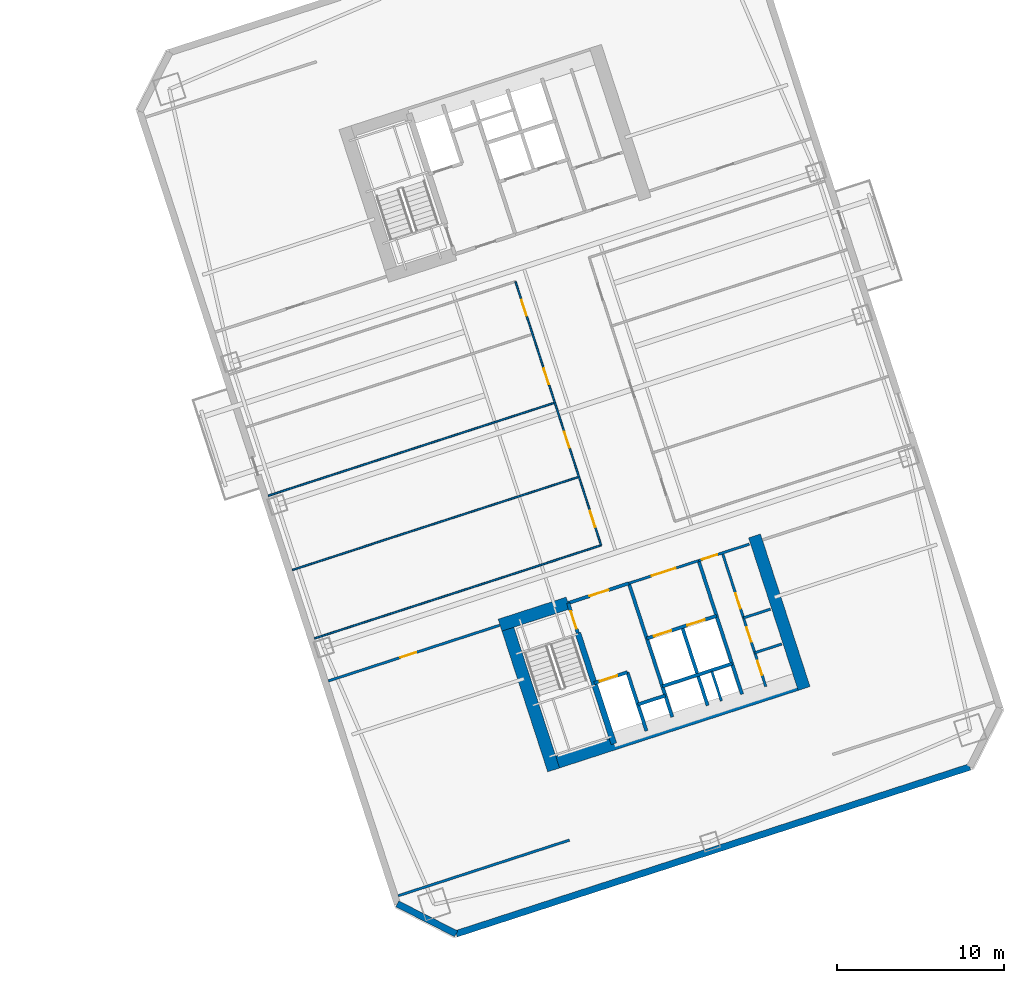
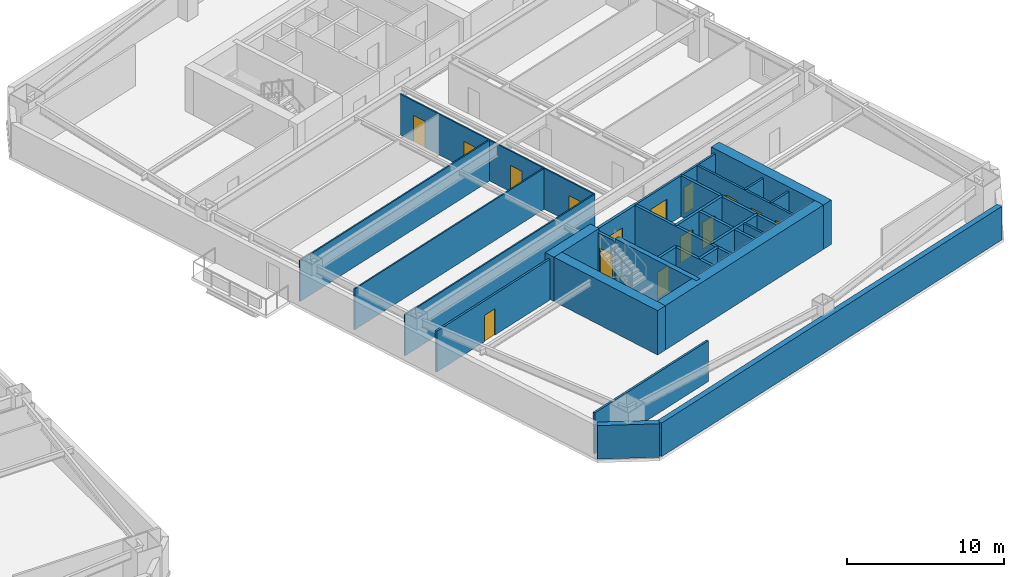
# One storey, part 7 of 15: 29 walls, 15 doors, 15 openings.
"""IFC4 building model written with IfcOpenShell, lengths in metres."""

from ifc_helpers import new_model, si_unit, direction, frame, frame_2d, origin, place, context, subcontext, project, spatial, rectangle, extrude, material, layer, layer_set, type_object, element, fill, save


model = new_model("IFC4")

# Units and contexts
model_context = context("Model", 3, precision=1e-05, world=origin(), true_north=direction((0.0, 1.0)))
body_context = subcontext(model_context, "Body", "Model", "MODEL_VIEW")
ifc_project = project(units=[si_unit("LENGTHUNIT", "METRE"), si_unit("AREAUNIT", "SQUARE_METRE"), si_unit("VOLUMEUNIT", "CUBIC_METRE"), si_unit("PLANEANGLEUNIT", "RADIAN"), si_unit("MASSUNIT", "GRAM", prefix="KILO")], contexts=[model_context])

# Site, building, storey
site_placement = place(None, origin())
site = spatial("IfcSite", under=ifc_project, at=site_placement, CompositionType="ELEMENT")
building_placement = place(site_placement, origin())
building = spatial("IfcBuilding", under=site, at=building_placement, Name="Qiaolan Cultural Towers", CompositionType="ELEMENT")
storey_placement = place(building_placement, frame((0.0, 0.0, 50.60009765625)))
storey = spatial("IfcBuildingStorey", under=building, at=storey_placement, Name="L11", CompositionType="ELEMENT", Elevation=50.60009765625)

# Walls
ifc_material_1 = material(Name="Concrete C50", Category="concrete")
ifc_layer_1 = layer(ifc_material_1, 0.35009765625)
ifc_layer_set_1 = layer_set([ifc_layer_1], Name="Concrete C50")
wall_type_1 = type_object("IfcWallType", Name="WL-CORE-350", PredefinedType="SHEAR", material=ifc_layer_set_1)
wall_1_placement = place(storey_placement, frame((90.486328125, 20.59423828125, 0.0), z_axis=(0.0, 0.0, 1.0), x_axis=(0.309020428229, -0.951055400562, 0.0)))
element("IfcWall", 1, at=wall_1_placement, inside=storey, type_object=wall_type_1, Name="L11 T2-CS Stair Core Dividing Web", PredefinedType="SHEAR", context=body_context, shape_type="SweptSolid", body=[
    extrude(rectangle(XDim=6.97998046875, YDim=0.35009765625, at=frame_2d((3.489990234375, 0.0))), origin(), (0.0, 0.0, 1.0), 3.449951171875),
])
ifc_material_2 = material(Name="Concrete C60", Category="concrete")
ifc_layer_2 = layer(ifc_material_2, 0.75)
ifc_layer_set_2 = layer_set([ifc_layer_2], Name="Concrete C60")
wall_type_2 = type_object("IfcWallType", Name="WL-CORE-750", PredefinedType="SHEAR", material=ifc_layer_set_2)
wall_2_placement = place(storey_placement, frame((88.55859375, 12.628662109375, 0.0), z_axis=(0.0, 0.0, 1.0), x_axis=(0.951056072937, 0.309018358888, 0.0)))
element("IfcWall", 2, at=wall_2_placement, inside=storey, type_object=wall_type_2, Name="L11 T2-CS Outer Core Shear Wall", PredefinedType="SHEAR", context=body_context, shape_type="SweptSolid", body=[
    extrude(rectangle(XDim=16.550048828125, YDim=0.75, at=frame_2d((8.27490234375, 0.0))), origin(), (0.0, 0.0, 1.0), 3.449951171875),
])
wall_3_placement = place(storey_placement, frame((86.05517578125, 21.54638671875, 0.0), z_axis=(0.0, 0.0, 1.0), x_axis=(0.309023585745, -0.951054374604, 0.0)))
element("IfcWall", 3, at=wall_3_placement, inside=storey, type_object=wall_type_2, Name="L11 T2-CS West Core Shear Wall", PredefinedType="SHEAR", context=body_context, shape_type="SweptSolid", body=[
    extrude(rectangle(XDim=9.6298828125, YDim=0.75, at=frame_2d((4.81494140625, 0.0))), origin(), (0.0, 0.0, 1.0), 3.449951171875),
])
wall_4_placement = place(storey_placement, frame((101.08203125, 26.428955078125, 0.0), z_axis=(0.0, 0.0, 1.0), x_axis=(0.309016134813, -0.951056795583, 0.0)))
element("IfcWall", 4, at=wall_4_placement, inside=storey, type_object=wall_type_2, Name="L11 T2-CS East Core Shear Wall", PredefinedType="SHEAR", context=body_context, shape_type="SweptSolid", body=[
    extrude(rectangle(XDim=9.630126953125, YDim=0.75, at=frame_2d((4.81494140625, 0.0))), origin(), (0.0, 0.0, 1.0), 3.449951171875),
])
wall_5_placement = place(storey_placement, frame((85.814453125, 21.073974609375, 0.0), z_axis=(0.0, 0.0, 1.0), x_axis=(0.95106580992, 0.308988390074, 0.0)))
element("IfcWall", 5, at=wall_5_placement, inside=storey, type_object=wall_type_2, Name="L11 T2-CS Stair Front Shear Wall", PredefinedType="SHEAR", context=body_context, shape_type="SweptSolid", body=[
    extrude(rectangle(XDim=4.295166015625, YDim=0.75, at=frame_2d((2.1474609375, 0.0))), origin(), (0.0, 0.0, 1.0), 3.449951171875),
])
ifc_material_3 = material(Name="Precast Concrete C50 Honed Stone Pier", Category="masonry")
ifc_layer_3 = layer(ifc_material_3, 0.39990234375)
ifc_layer_set_3 = layer_set([ifc_layer_3], Name="Precast Concrete C50 Honed Stone Pier")
wall_type_3 = type_object("IfcWallType", Name="WL-EXT-PIER-400", PredefinedType="SOLIDWALL", material=ifc_layer_set_3)
wall_6_placement = place(storey_placement, frame((113.997802734375, 12.566650390625, 0.0), z_axis=(0.0, 0.0, 1.0), x_axis=(-0.951055939317, -0.309018770125, 0.0)))
element("IfcWall", 6, at=wall_6_placement, inside=storey, type_object=wall_type_3, Name="L11 East Tower Precast Pier Facade Wall F7", PredefinedType="SOLIDWALL", context=body_context, shape_type="SweptSolid", body=[
    extrude(rectangle(XDim=32.39990234375, YDim=0.39990234375, at=frame_2d((16.199951171875, 0.0))), origin(), (0.0, 0.0, 1.0), 2.60986328125),
])
wall_7_placement = place(storey_placement, frame((83.18359375, 2.554443359375, 0.0), z_axis=(0.0, 0.0, 1.0), x_axis=(-0.890998089617, 0.454007053137, 0.0)))
element("IfcWall", 7, at=wall_7_placement, inside=storey, type_object=wall_type_3, Name="L11 East Tower Precast Pier Facade Wall F8", PredefinedType="SOLIDWALL", context=body_context, shape_type="SweptSolid", body=[
    extrude(rectangle(XDim=3.9599609375, YDim=0.39990234375, at=frame_2d((1.97998046875, 0.0))), origin(), (0.0, 0.0, 1.0), 2.60986328125),
])

# Wall, opening, door
ifc_material_4 = material(Name="Concrete C35 Fire Wall", Category="concrete")
ifc_layer_4 = layer(ifc_material_4, 0.199951171875)
ifc_layer_set_4 = layer_set([ifc_layer_4], Name="Concrete C35 Fire Wall")
wall_type_4 = type_object("IfcWallType", Name="WL-FIRE-200", PredefinedType="PARTITIONING", material=ifc_layer_set_4)
wall_8_placement = place(storey_placement, frame((89.8994140625, 22.401123046875, 0.0), z_axis=(0.0, 0.0, 1.0), x_axis=(0.308932062672, -0.951084108086, 0.0)))
wall_8 = element("IfcWall", 8, at=wall_8_placement, inside=storey, type_object=wall_type_4, Name="L11 T2-CS Smokeproof Stair Entry Wall", PredefinedType="PARTITIONING", context=body_context, shape_type="SweptSolid", body=[
    extrude(rectangle(XDim=1.89990234375, YDim=0.199951171875, at=frame_2d((0.949951171875, 0.0))), origin(), (0.0, 0.0, 1.0), 3.1748046875),
])
opening_1_placement = place(wall_8_placement, frame((0.52001953125, 0.0, 0.0)))
opening_1 = element("IfcOpeningElement", 9, at=opening_1_placement, cuts=wall_8, Name="Opening FD-04", PredefinedType="OPENING", context=body_context, shape_type="SweptSolid", body=[
    extrude(rectangle(XDim=1.10009765625, YDim=2.050048828125, at=frame_2d((0.550048828125, 1.02490234375))), frame((0.0, 0.10986328125, 0.0), z_axis=(0.0, -1.0, 0.0), x_axis=(1.0, 0.0, 0.0)), (0.0, 0.0, 1.0), 0.219970703125),
])
ifc_material_5 = material(Name="Galvanized Steel Command Fire Door", Category="steel")
door_type_1 = type_object("IfcDoorType", Name="DR-FD90-1100", OperationType="NOTDEFINED", PredefinedType="DOOR", material=ifc_material_5)
door_1_placement = place(opening_1_placement, origin())
door_1 = element("IfcDoor", 10, at=door_1_placement, inside=storey, type_object=door_type_1, Name="L11 ST-E1 Smokeproof Stair Fire Door", OperationType="SINGLE_SWING_LEFT", OverallHeight=2.050048828125, OverallWidth=1.10009765625, PredefinedType="DOOR", context=body_context, shape_type="SweptSolid", body=[
    extrude(rectangle(XDim=1.10009765625, YDim=2.050048828125, at=frame_2d((0.550048828125, 1.02490234375))), frame((0.0, 0.02490234375, 0.0), z_axis=(0.0, -1.0, 0.0), x_axis=(1.0, 0.0, 0.0)), (0.0, 0.0, 1.0), 0.050048828125),
])
fill(opening_1, door_1)

# Wall
wall_9_placement = place(storey_placement, frame((93.541748046875, 23.584716796875, 0.0), z_axis=(0.0, 0.0, 1.0), x_axis=(0.309042196757, -0.951048327176, 0.0)))
element("IfcWall", 11, at=wall_9_placement, inside=storey, type_object=wall_type_4, Name="L11 T2-CS Firefighting Zone Wall", PredefinedType="PARTITIONING", context=body_context, shape_type="SweptSolid", body=[
    extrude(rectangle(XDim=8.429931640625, YDim=0.199951171875, at=frame_2d((4.21484375, 0.0))), origin(), (0.0, 0.0, 1.0), 3.1748046875),
])

# Wall, opening, door
wall_10_placement = place(storey_placement, frame((89.8994140625, 22.401123046875, 0.0), z_axis=(0.0, 0.0, 1.0), x_axis=(0.951046716504, 0.309047153403, 0.0)))
wall_10 = element("IfcWall", 12, at=wall_10_placement, inside=storey, type_object=wall_type_4, Name="L11 T2-CS Firefighting Lobby Front Wall", PredefinedType="PARTITIONING", context=body_context, shape_type="SweptSolid", body=[
    extrude(rectangle(XDim=3.829833984375, YDim=0.199951171875, at=frame_2d((1.9150390625, 0.0))), origin(), (0.0, 0.0, 1.0), 3.1748046875),
])
opening_2_placement = place(wall_10_placement, frame((1.35009765625, 0.0, 0.0)))
opening_2 = element("IfcOpeningElement", 13, at=opening_2_placement, cuts=wall_10, Name="Opening FD-03", PredefinedType="OPENING", context=body_context, shape_type="SweptSolid", body=[
    extrude(rectangle(XDim=1.199951171875, YDim=2.050048828125, at=frame_2d((0.60009765625, 1.02490234375))), frame((0.0, 0.10986328125, 0.0), z_axis=(0.0, -1.0, 0.0), x_axis=(1.0, 0.0, 0.0)), (0.0, 0.0, 1.0), 0.219970703125),
])
ifc_material_6 = material(Name="Galvanized Steel Smokeproof Lobby Fire Door", Category="steel")
door_type_2 = type_object("IfcDoorType", Name="DR-FD90-1200", OperationType="NOTDEFINED", PredefinedType="DOOR", material=ifc_material_6)
door_2_placement = place(opening_2_placement, origin())
door_2 = element("IfcDoor", 14, at=door_2_placement, inside=storey, type_object=door_type_2, Name="L11 FFL-E1 Firefighting Lobby Fire Door", OperationType="SINGLE_SWING_LEFT", OverallHeight=2.050048828125, OverallWidth=1.199951171875, PredefinedType="DOOR", context=body_context, shape_type="SweptSolid", body=[
    extrude(rectangle(XDim=1.199951171875, YDim=2.050048828125, at=frame_2d((0.60009765625, 1.02490234375))), frame((0.0, 0.02490234375, 0.0), z_axis=(0.0, -1.0, 0.0), x_axis=(1.0, 0.0, 0.0)), (0.0, 0.0, 1.0), 0.050048828125),
])
fill(opening_2, door_2)

wall_11_placement = place(storey_placement, frame((91.459716796875, 17.598388671875, 0.0), z_axis=(0.0, 0.0, 1.0), x_axis=(0.951062257173, 0.308999325213, 0.0)))
wall_11 = element("IfcWall", 15, at=wall_11_placement, inside=storey, type_object=wall_type_4, Name="L11 T2-CS Firefighting Shaft Front Wall", PredefinedType="PARTITIONING", context=body_context, shape_type="SweptSolid", body=[
    extrude(rectangle(XDim=2.10009765625, YDim=0.199951171875, at=frame_2d((1.050048828125, 0.0))), origin(), (0.0, 0.0, 1.0), 3.1748046875),
])
opening_3_placement = place(wall_11_placement, frame((0.35009765625, 0.0, 0.0)))
opening_3 = element("IfcOpeningElement", 16, at=opening_3_placement, cuts=wall_11, Name="Opening LD-01", PredefinedType="OPENING", context=body_context, shape_type="SweptSolid", body=[
    extrude(rectangle(XDim=1.10009765625, YDim=2.050048828125, at=frame_2d((0.550048828125, 1.02490234375))), frame((0.0, 0.10986328125, 0.0), z_axis=(0.0, -1.0, 0.0), x_axis=(1.0, 0.0, 0.0)), (0.0, 0.0, 1.0), 0.219970703125),
])
ifc_material_7 = material(Name="Brushed Stainless Steel S30408 Centre-Parting Lift Landing Door", Category="steel")
door_type_3 = type_object("IfcDoorType", Name="DR-LIFT-1100", OperationType="NOTDEFINED", PredefinedType="DOOR", material=ifc_material_7)
door_3_placement = place(opening_3_placement, origin())
door_3 = element("IfcDoor", 17, at=door_3_placement, inside=storey, type_object=door_type_3, Name="L11 FFL-E1 Firefighting Lift Landing Door", OperationType="DOUBLE_DOOR_SLIDING", OverallHeight=2.050048828125, OverallWidth=1.10009765625, PredefinedType="DOOR", context=body_context, shape_type="SweptSolid", body=[
    extrude(rectangle(XDim=1.10009765625, YDim=2.050048828125, at=frame_2d((0.550048828125, 1.02490234375))), frame((0.0, 0.02490234375, 0.0), z_axis=(0.0, -1.0, 0.0), x_axis=(1.0, 0.0, 0.0)), (0.0, 0.0, 1.0), 0.050048828125),
])
fill(opening_3, door_3)

# Walls
wall_12_placement = place(storey_placement, frame((93.45703125, 18.247314453125, 0.0), z_axis=(0.0, 0.0, 1.0), x_axis=(0.3089935693, -0.951064127245, 0.0)))
element("IfcWall", 18, at=wall_12_placement, inside=storey, type_object=wall_type_4, Name="L11 T2-CS Firefighting Hoistway East Wall", PredefinedType="PARTITIONING", context=body_context, shape_type="SweptSolid", body=[
    extrude(rectangle(XDim=3.7001953125, YDim=0.199951171875, at=frame_2d((1.85009765625, 0.0))), origin(), (0.0, 0.0, 1.0), 3.1748046875),
])
wall_13_placement = place(storey_placement, frame((94.08447265625, 16.316650390625, 0.0), z_axis=(0.0, 0.0, 1.0), x_axis=(0.951041328149, 0.309063734775, 0.0)))
element("IfcWall", 19, at=wall_13_placement, inside=storey, type_object=wall_type_4, Name="L11 T2-CS Pressurization Shaft Front Wall", PredefinedType="PARTITIONING", context=body_context, shape_type="SweptSolid", body=[
    extrude(rectangle(XDim=1.72998046875, YDim=0.199951171875, at=frame_2d((0.864990234375, 0.0))), origin(), (0.0, 0.0, 1.0), 3.1748046875),
])
wall_14_placement = place(storey_placement, frame((97.7265625, 24.9443359375, 0.0), z_axis=(0.0, 0.0, 1.0), x_axis=(0.309016001439, -0.951056838919, 0.0)))
element("IfcWall", 20, at=wall_14_placement, inside=storey, type_object=wall_type_4, Name="L11 T2-CS Lift Core East Wall", PredefinedType="PARTITIONING", context=body_context, shape_type="SweptSolid", body=[
    extrude(rectangle(XDim=8.429931640625, YDim=0.199951171875, at=frame_2d((4.21484375, 0.0))), origin(), (0.0, 0.0, 1.0), 3.1748046875),
])

# Wall, openings, doors
wall_15_placement = place(storey_placement, frame((94.6171875, 20.275146484375, 0.0), z_axis=(0.0, 0.0, 1.0), x_axis=(0.951058531764, 0.30901079133, 0.0)))
wall_15 = element("IfcWall", 21, at=wall_15_placement, inside=storey, type_object=wall_type_4, Name="L11 T2-CS Passenger Lift Shaft Front Wall", PredefinedType="PARTITIONING", context=body_context, shape_type="SweptSolid", body=[
    extrude(rectangle(XDim=4.39990234375, YDim=0.199951171875, at=frame_2d((2.199951171875, 0.0))), origin(), (0.0, 0.0, 1.0), 3.1748046875),
])
opening_4_placement = place(wall_15_placement, frame((0.449951171875, 0.0, 0.0)))
opening_4 = element("IfcOpeningElement", 22, at=opening_4_placement, cuts=wall_15, Name="Opening LD-01", PredefinedType="OPENING", context=body_context, shape_type="SweptSolid", body=[
    extrude(rectangle(XDim=1.10009765625, YDim=2.050048828125, at=frame_2d((0.550048828125, 1.02490234375))), frame((0.0, 0.10986328125, 0.0), z_axis=(0.0, -1.0, 0.0), x_axis=(1.0, 0.0, 0.0)), (0.0, 0.0, 1.0), 0.219970703125),
])
opening_5_placement = place(wall_15_placement, frame((2.550048828125, 0.0, 0.0)))
opening_5 = element("IfcOpeningElement", 23, at=opening_5_placement, cuts=wall_15, Name="Opening LD-01", PredefinedType="OPENING", context=body_context, shape_type="SweptSolid", body=[
    extrude(rectangle(XDim=1.10009765625, YDim=2.050048828125, at=frame_2d((0.550048828125, 1.02490234375))), frame((0.0, 0.10986328125, 0.0), z_axis=(0.0, -1.0, 0.0), x_axis=(1.0, 0.0, 0.0)), (0.0, 0.0, 1.0), 0.219970703125),
])
door_4_placement = place(opening_4_placement, origin())
door_4 = element("IfcDoor", 24, at=door_4_placement, inside=storey, type_object=door_type_3, Name="L11 Passenger Lift 1 Landing Door", OperationType="DOUBLE_DOOR_SLIDING", OverallHeight=2.050048828125, OverallWidth=1.10009765625, PredefinedType="DOOR", context=body_context, shape_type="SweptSolid", body=[
    extrude(rectangle(XDim=1.10009765625, YDim=2.050048828125, at=frame_2d((0.550048828125, 1.02490234375))), frame((0.0, 0.02490234375, 0.0), z_axis=(0.0, -1.0, 0.0), x_axis=(1.0, 0.0, 0.0)), (0.0, 0.0, 1.0), 0.050048828125),
])
fill(opening_4, door_4)
door_5_placement = place(opening_5_placement, origin())
door_5 = element("IfcDoor", 25, at=door_5_placement, inside=storey, type_object=door_type_3, Name="L11 Passenger Lift 2 Landing Door", OperationType="DOUBLE_DOOR_SLIDING", OverallHeight=2.050048828125, OverallWidth=1.10009765625, PredefinedType="DOOR", context=body_context, shape_type="SweptSolid", body=[
    extrude(rectangle(XDim=1.10009765625, YDim=2.050048828125, at=frame_2d((0.550048828125, 1.02490234375))), frame((0.0, 0.02490234375, 0.0), z_axis=(0.0, -1.0, 0.0), x_axis=(1.0, 0.0, 0.0)), (0.0, 0.0, 1.0), 0.050048828125),
])
fill(opening_5, door_5)

# Walls
wall_16_placement = place(storey_placement, frame((96.738037109375, 20.964111328125, 0.0), z_axis=(0.0, 0.0, 1.0), x_axis=(0.309042578481, -0.951048203135, 0.0)))
element("IfcWall", 26, at=wall_16_placement, inside=storey, type_object=wall_type_4, Name="L11 T2-CS Lift Shaft Divider Wall", PredefinedType="PARTITIONING", context=body_context, shape_type="SweptSolid", body=[
    extrude(rectangle(XDim=4.9501953125, YDim=0.199951171875, at=frame_2d((2.47509765625, 0.0))), origin(), (0.0, 0.0, 1.0), 3.1748046875),
])
wall_17_placement = place(storey_placement, frame((95.550537109375, 17.40283203125, 0.0), z_axis=(0.0, 0.0, 1.0), x_axis=(0.951058531764, 0.30901079133, 0.0)))
element("IfcWall", 27, at=wall_17_placement, inside=storey, type_object=wall_type_4, Name="L11 T2-CS Passenger Lift Shaft Back Wall", PredefinedType="PARTITIONING", context=body_context, shape_type="SweptSolid", body=[
    extrude(rectangle(XDim=4.39990234375, YDim=0.199951171875, at=frame_2d((2.199951171875, 0.0))), origin(), (0.0, 0.0, 1.0), 3.1748046875),
])
ifc_material_8 = material(Name="Acoustic Double-Glazed Partition Frame", Category="glass")
ifc_layer_5 = layer(ifc_material_8, 0.10009765625)
ifc_layer_set_5 = layer_set([ifc_layer_5], Name="Acoustic Double-Glazed Partition Frame")
wall_type_5 = type_object("IfcWallType", Name="WL-GLAZED-100", PredefinedType="MOVABLE", material=ifc_layer_set_5)
wall_18_placement = place(storey_placement, frame((74.691162109375, 20.277587890625, 0.0), z_axis=(0.0, 0.0, 1.0), x_axis=(0.951053521786, 0.309026210375, 0.0)))
element("IfcWall", 28, at=wall_18_placement, inside=storey, type_object=wall_type_5, Name="L11 T2 South Corridor Left Wall", PredefinedType="MOVABLE", context=body_context, shape_type="SweptSolid", body=[
    extrude(rectangle(XDim=18.0751953125, YDim=0.10009765625, at=frame_2d((9.03759765625, 0.0))), origin(), (0.0, 0.0, 1.0), 3.1748046875),
])

# Wall, openings, doors
wall_19_placement = place(storey_placement, frame((91.881591796875, 25.86328125, 0.0), z_axis=(0.0, 0.0, 1.0), x_axis=(-0.309022042254, 0.951054876125, 0.0)))
wall_19 = element("IfcWall", 29, at=wall_19_placement, inside=storey, type_object=wall_type_5, Name="L11 T2 West Spine Wall", PredefinedType="MOVABLE", context=body_context, shape_type="SweptSolid", body=[
    extrude(rectangle(XDim=16.639892578125, YDim=0.10009765625, at=frame_2d((8.31982421875, 0.0))), origin(), (0.0, 0.0, 1.0), 3.1748046875),
])
opening_6_placement = place(wall_19_placement, frame((1.159912109375, 0.0, 0.0)))
opening_6 = element("IfcOpeningElement", 30, at=opening_6_placement, cuts=wall_19, Name="Opening ID-04", PredefinedType="OPENING", context=body_context, shape_type="SweptSolid", body=[
    extrude(rectangle(XDim=1.0, YDim=2.050048828125, at=frame_2d((0.5, 1.02490234375))), frame((0.0, 0.06005859375, 0.0), z_axis=(0.0, -1.0, 0.0), x_axis=(1.0, 0.0, 0.0)), (0.0, 0.0, 1.0), 0.1201171875),
])
opening_7_placement = place(wall_19_placement, frame((6.159912109375, 0.0, 0.0)))
opening_7 = element("IfcOpeningElement", 31, at=opening_7_placement, cuts=wall_19, Name="Opening ID-04", PredefinedType="OPENING", context=body_context, shape_type="SweptSolid", body=[
    extrude(rectangle(XDim=1.0, YDim=2.050048828125, at=frame_2d((0.5, 1.02490234375))), frame((0.0, 0.06005859375, 0.0), z_axis=(0.0, -1.0, 0.0), x_axis=(1.0, 0.0, 0.0)), (0.0, 0.0, 1.0), 0.1201171875),
])
opening_8_placement = place(wall_19_placement, frame((10.159912109375, 0.0, 0.0)))
opening_8 = element("IfcOpeningElement", 32, at=opening_8_placement, cuts=wall_19, Name="Opening ID-04", PredefinedType="OPENING", context=body_context, shape_type="SweptSolid", body=[
    extrude(rectangle(XDim=1.0, YDim=2.050048828125, at=frame_2d((0.5, 1.02490234375))), frame((0.0, 0.06005859375, 0.0), z_axis=(0.0, -1.0, 0.0), x_axis=(1.0, 0.0, 0.0)), (0.0, 0.0, 1.0), 0.1201171875),
])
opening_9_placement = place(wall_19_placement, frame((14.47998046875, 0.0, 0.0)))
opening_9 = element("IfcOpeningElement", 33, at=opening_9_placement, cuts=wall_19, Name="Opening ID-04", PredefinedType="OPENING", context=body_context, shape_type="SweptSolid", body=[
    extrude(rectangle(XDim=1.0, YDim=2.050048828125, at=frame_2d((0.5, 1.02490234375))), frame((0.0, 0.06005859375, 0.0), z_axis=(0.0, -1.0, 0.0), x_axis=(1.0, 0.0, 0.0)), (0.0, 0.0, 1.0), 0.1201171875),
])
ifc_material_9 = material(Name="Oak Veneer Acoustic Office Door", Category="timber")
door_type_4 = type_object("IfcDoorType", Name="DR-INT-1000", OperationType="NOTDEFINED", PredefinedType="DOOR", material=ifc_material_9)
door_6_placement = place(opening_6_placement, origin())
door_6 = element("IfcDoor", 34, at=door_6_placement, inside=storey, type_object=door_type_4, Name="L11 T2 Project Briefing Room Door", OperationType="SINGLE_SWING_LEFT", OverallHeight=2.050048828125, OverallWidth=1.0, PredefinedType="DOOR", context=body_context, shape_type="SweptSolid", body=[
    extrude(rectangle(XDim=1.0, YDim=2.050048828125, at=frame_2d((0.5, 1.02490234375))), frame((0.0, 0.02490234375, 0.0), z_axis=(0.0, -1.0, 0.0), x_axis=(1.0, 0.0, 0.0)), (0.0, 0.0, 1.0), 0.050048828125),
])
fill(opening_6, door_6)
door_7_placement = place(opening_7_placement, origin())
door_7 = element("IfcDoor", 35, at=door_7_placement, inside=storey, type_object=door_type_4, Name="L11 T2 Curatorial Research Office Door", OperationType="SINGLE_SWING_LEFT", OverallHeight=2.050048828125, OverallWidth=1.0, PredefinedType="DOOR", context=body_context, shape_type="SweptSolid", body=[
    extrude(rectangle(XDim=1.0, YDim=2.050048828125, at=frame_2d((0.5, 1.02490234375))), frame((0.0, 0.02490234375, 0.0), z_axis=(0.0, -1.0, 0.0), x_axis=(1.0, 0.0, 0.0)), (0.0, 0.0, 1.0), 0.050048828125),
])
fill(opening_7, door_7)
door_8_placement = place(opening_8_placement, origin())
door_8 = element("IfcDoor", 36, at=door_8_placement, inside=storey, type_object=door_type_4, Name="L11 T2 Wellness Consultation Room Door", OperationType="SINGLE_SWING_RIGHT", OverallHeight=2.050048828125, OverallWidth=1.0, PredefinedType="DOOR", context=body_context, shape_type="SweptSolid", body=[
    extrude(rectangle(XDim=1.0, YDim=2.050048828125, at=frame_2d((0.5, 1.02490234375))), frame((0.0, 0.02490234375, 0.0), z_axis=(0.0, -1.0, 0.0), x_axis=(1.0, 0.0, 0.0)), (0.0, 0.0, 1.0), 0.050048828125),
])
fill(opening_8, door_8)
door_9_placement = place(opening_9_placement, origin())
door_9 = element("IfcDoor", 37, at=door_9_placement, inside=storey, type_object=door_type_4, Name="L11 T2 Staff Lounge Door", OperationType="SINGLE_SWING_RIGHT", OverallHeight=2.050048828125, OverallWidth=1.0, PredefinedType="DOOR", context=body_context, shape_type="SweptSolid", body=[
    extrude(rectangle(XDim=1.0, YDim=2.050048828125, at=frame_2d((0.5, 1.02490234375))), frame((0.0, 0.02490234375, 0.0), z_axis=(0.0, -1.0, 0.0), x_axis=(1.0, 0.0, 0.0)), (0.0, 0.0, 1.0), 0.050048828125),
])
fill(opening_9, door_9)

# Walls
for number, where, z_axis, x_axis, name in (
    (38, (73.356201171875, 24.38623046875, 0.0), (0.0, 0.0, 1.0), (0.951057491432, 0.309013993197, 0.0), "L11 T2 West Partition 2"),
    (39, (71.909912109375, 28.837158203125, 0.0), (0.0, 0.0, 1.0), (0.951057491432, 0.309013993197, 0.0), "L11 T2 West Partition 3"),
):
    element("IfcWall", number, at=place(storey_placement, frame(where, z_axis=z_axis, x_axis=x_axis)), inside=storey, type_object=wall_type_5, Name=name, PredefinedType="MOVABLE", context=body_context, shape_type="SweptSolid", body=[
        extrude(rectangle(XDim=18.074951171875, YDim=0.10009765625, at=frame_2d((9.03759765625, 0.0))), origin(), (0.0, 0.0, 1.0), 3.1748046875),
    ])

# Wall, opening, door
ifc_material_10 = material(Name="Autoclaved Aerated Concrete Block B06", Category="concrete")
ifc_layer_6 = layer(ifc_material_10, 0.14990234375)
ifc_layer_set_6 = layer_set([ifc_layer_6], Name="Autoclaved Aerated Concrete Block B06")
wall_type_6 = type_object("IfcWallType", Name="WL-PART-150", PredefinedType="PARTITIONING", material=ifc_layer_set_6)
wall_20_placement = place(storey_placement, frame((93.541748046875, 23.584716796875, 0.0), z_axis=(0.0, 0.0, 1.0), x_axis=(0.951063829732, 0.308994485023, 0.0)))
wall_20 = element("IfcWall", 40, at=wall_20_placement, inside=storey, type_object=wall_type_6, Name="L11 T2-CS Passenger Lift Lobby Front Wall", PredefinedType="PARTITIONING", context=body_context, shape_type="SweptSolid", body=[
    extrude(rectangle(XDim=4.400146484375, YDim=0.14990234375, at=frame_2d((2.2001953125, 0.0))), origin(), (0.0, 0.0, 1.0), 3.1748046875),
])
opening_10_placement = place(wall_20_placement, frame((1.449951171875, 0.0, 0.0)))
opening_10 = element("IfcOpeningElement", 41, at=opening_10_placement, cuts=wall_20, Name="Opening FD-05", PredefinedType="OPENING", context=body_context, shape_type="SweptSolid", body=[
    extrude(rectangle(XDim=1.5, YDim=2.050048828125, at=frame_2d((0.75, 1.02490234375))), frame((0.0, 0.0849609375, 0.0), z_axis=(0.0, -1.0, 0.0), x_axis=(1.0, 0.0, 0.0)), (0.0, 0.0, 1.0), 0.169921875),
])
ifc_material_11 = material(Name="Painted Steel Lift Lobby Fire Door", Category="steel")
door_type_5 = type_object("IfcDoorType", Name="DR-FD60-1500", OperationType="NOTDEFINED", PredefinedType="DOOR", material=ifc_material_11)
door_10_placement = place(opening_10_placement, origin())
door_10 = element("IfcDoor", 42, at=door_10_placement, inside=storey, type_object=door_type_5, Name="L11 Passenger Lift Lobby Entrance", OperationType="SINGLE_SWING_LEFT", OverallHeight=2.050048828125, OverallWidth=1.5, PredefinedType="DOOR", context=body_context, shape_type="SweptSolid", body=[
    extrude(rectangle(XDim=1.5, YDim=2.050048828125, at=frame_2d((0.75, 1.02490234375))), frame((0.0, 0.02490234375, 0.0), z_axis=(0.0, -1.0, 0.0), x_axis=(1.0, 0.0, 0.0)), (0.0, 0.0, 1.0), 0.050048828125),
])
fill(opening_10, door_10)

# Wall
wall_21_placement = place(storey_placement, frame((98.51416015625, 18.313232421875, 0.0), z_axis=(0.0, 0.0, 1.0), x_axis=(0.309089008895, -0.951033114345, 0.0)))
element("IfcWall", 43, at=wall_21_placement, inside=storey, type_object=wall_type_6, Name="L11 T2-CS Core Rear Asymmetric Wall", PredefinedType="PARTITIONING", context=body_context, shape_type="SweptSolid", body=[
    extrude(rectangle(XDim=1.8798828125, YDim=0.14990234375, at=frame_2d((0.93994140625, 0.0))), origin(), (0.0, 0.0, 1.0), 3.1748046875),
])

# Wall, opening, door
wall_22_placement = place(storey_placement, frame((97.7265625, 24.9443359375, 0.0), z_axis=(0.0, 0.0, 1.0), x_axis=(0.951036872128, 0.309077446369, 0.0)))
wall_22 = element("IfcWall", 44, at=wall_22_placement, inside=storey, type_object=wall_type_6, Name="L11 T2-CS Sanitary Core Front Wall", PredefinedType="PARTITIONING", context=body_context, shape_type="SweptSolid", body=[
    extrude(rectangle(XDim=3.199951171875, YDim=0.14990234375, at=frame_2d((1.60009765625, 0.0))), origin(), (0.0, 0.0, 1.0), 3.1748046875),
])
opening_11_placement = place(wall_22_placement, frame((0.219970703125, 0.0, 0.0)))
opening_11 = element("IfcOpeningElement", 45, at=opening_11_placement, cuts=wall_22, Name="Opening ID-05", PredefinedType="OPENING", context=body_context, shape_type="SweptSolid", body=[
    extrude(rectangle(XDim=0.949951171875, YDim=2.050048828125, at=frame_2d((0.47509765625, 1.02490234375))), frame((0.0, 0.0849609375, 0.0), z_axis=(0.0, -1.0, 0.0), x_axis=(1.0, 0.0, 0.0)), (0.0, 0.0, 1.0), 0.169921875),
])
ifc_material_12 = material(Name="Fire-Rated Laminate Accessible Core Door", Category="timber")
door_type_6 = type_object("IfcDoorType", Name="DR-INT-950", OperationType="NOTDEFINED", PredefinedType="DOOR", material=ifc_material_12)
door_11_placement = place(opening_11_placement, origin())
door_11 = element("IfcDoor", 46, at=door_11_placement, inside=storey, type_object=door_type_6, Name="L11 Sanitary Vestibule Door", OperationType="SINGLE_SWING_LEFT", OverallHeight=2.050048828125, OverallWidth=0.949951171875, PredefinedType="DOOR", context=body_context, shape_type="SweptSolid", body=[
    extrude(rectangle(XDim=0.949951171875, YDim=2.050048828125, at=frame_2d((0.47509765625, 1.02490234375))), frame((0.0, 0.02490234375, 0.0), z_axis=(0.0, -1.0, 0.0), x_axis=(1.0, 0.0, 0.0)), (0.0, 0.0, 1.0), 0.050048828125),
])
fill(opening_11, door_11)

# Wall, openings, doors
wall_23_placement = place(storey_placement, frame((99.153076171875, 25.407958984375, 0.0), z_axis=(0.0, 0.0, 1.0), x_axis=(0.309016001439, -0.951056838919, 0.0)))
wall_23 = element("IfcWall", 47, at=wall_23_placement, inside=storey, type_object=wall_type_6, Name="L11 T2-CS Sanitary Vestibule Wall", PredefinedType="PARTITIONING", context=body_context, shape_type="SweptSolid", body=[
    extrude(rectangle(XDim=8.429931640625, YDim=0.14990234375, at=frame_2d((4.21484375, 0.0))), origin(), (0.0, 0.0, 1.0), 3.1748046875),
])
opening_12_placement = place(wall_23_placement, frame((2.550048828125, 0.0, 0.0)))
opening_12 = element("IfcOpeningElement", 48, at=opening_12_placement, cuts=wall_23, Name="Opening ID-05", PredefinedType="OPENING", context=body_context, shape_type="SweptSolid", body=[
    extrude(rectangle(XDim=0.949951171875, YDim=2.050048828125, at=frame_2d((0.47509765625, 1.02490234375))), frame((0.0, 0.0849609375, 0.0), z_axis=(0.0, -1.0, 0.0), x_axis=(1.0, 0.0, 0.0)), (0.0, 0.0, 1.0), 0.169921875),
])
opening_13_placement = place(wall_23_placement, frame((4.699951171875, 0.0, 0.0)))
opening_13 = element("IfcOpeningElement", 49, at=opening_13_placement, cuts=wall_23, Name="Opening ID-06", PredefinedType="OPENING", context=body_context, shape_type="SweptSolid", body=[
    extrude(rectangle(XDim=0.89990234375, YDim=2.050048828125, at=frame_2d((0.449951171875, 1.02490234375))), frame((0.0, 0.0849609375, 0.0), z_axis=(0.0, -1.0, 0.0), x_axis=(1.0, 0.0, 0.0)), (0.0, 0.0, 1.0), 0.169921875),
])
opening_14_placement = place(wall_23_placement, frame((6.800048828125, 0.0, 0.0)))
opening_14 = element("IfcOpeningElement", 50, at=opening_14_placement, cuts=wall_23, Name="Opening ID-06", PredefinedType="OPENING", context=body_context, shape_type="SweptSolid", body=[
    extrude(rectangle(XDim=0.89990234375, YDim=2.050048828125, at=frame_2d((0.449951171875, 1.02490234375))), frame((0.0, 0.0849609375, 0.0), z_axis=(0.0, -1.0, 0.0), x_axis=(1.0, 0.0, 0.0)), (0.0, 0.0, 1.0), 0.169921875),
])
ifc_material_13 = material(Name="Fire-Rated Laminate Core Service Door", Category="timber")
door_type_7 = type_object("IfcDoorType", Name="DR-INT-900", OperationType="NOTDEFINED", PredefinedType="DOOR", material=ifc_material_13)
door_12_placement = place(opening_13_placement, origin())
door_12 = element("IfcDoor", 51, at=door_12_placement, inside=storey, type_object=door_type_7, Name="L11 Men Washroom Door", OperationType="SINGLE_SWING_LEFT", OverallHeight=2.050048828125, OverallWidth=0.89990234375, PredefinedType="DOOR", context=body_context, shape_type="SweptSolid", body=[
    extrude(rectangle(XDim=0.89990234375, YDim=2.050048828125, at=frame_2d((0.449951171875, 1.02490234375))), frame((0.0, 0.02490234375, 0.0), z_axis=(0.0, -1.0, 0.0), x_axis=(1.0, 0.0, 0.0)), (0.0, 0.0, 1.0), 0.050048828125),
])
fill(opening_13, door_12)
door_13_placement = place(opening_14_placement, origin())
door_13 = element("IfcDoor", 52, at=door_13_placement, inside=storey, type_object=door_type_7, Name="L11 Women Washroom Door", OperationType="SINGLE_SWING_RIGHT", OverallHeight=2.050048828125, OverallWidth=0.89990234375, PredefinedType="DOOR", context=body_context, shape_type="SweptSolid", body=[
    extrude(rectangle(XDim=0.89990234375, YDim=2.050048828125, at=frame_2d((0.449951171875, 1.02490234375))), frame((0.0, 0.02490234375, 0.0), z_axis=(0.0, -1.0, 0.0), x_axis=(1.0, 0.0, 0.0)), (0.0, 0.0, 1.0), 0.050048828125),
])
fill(opening_14, door_13)
door_14_placement = place(opening_12_placement, origin())
door_14 = element("IfcDoor", 53, at=door_14_placement, inside=storey, type_object=door_type_6, Name="L11 Accessible Family Washroom Door", OperationType="SINGLE_SWING_LEFT", OverallHeight=2.050048828125, OverallWidth=0.949951171875, PredefinedType="DOOR", context=body_context, shape_type="SweptSolid", body=[
    extrude(rectangle(XDim=0.949951171875, YDim=2.050048828125, at=frame_2d((0.47509765625, 1.02490234375))), frame((0.0, 0.02490234375, 0.0), z_axis=(0.0, -1.0, 0.0), x_axis=(1.0, 0.0, 0.0)), (0.0, 0.0, 1.0), 0.050048828125),
])
fill(opening_12, door_14)

# Walls
wall_24_placement = place(storey_placement, frame((100.420166015625, 21.508544921875, 0.0), z_axis=(0.0, 0.0, 1.0), x_axis=(0.951040401051, 0.309066587596, 0.0)))
element("IfcWall", 54, at=wall_24_placement, inside=storey, type_object=wall_type_6, Name="L11 T2-CS Restroom Split Wall 1", PredefinedType="PARTITIONING", context=body_context, shape_type="SweptSolid", body=[
    extrude(rectangle(XDim=1.699951171875, YDim=0.14990234375, at=frame_2d((0.85009765625, 0.0))), origin(), (0.0, 0.0, 1.0), 3.1748046875),
])
wall_25_placement = place(storey_placement, frame((101.099853515625, 19.416259765625, 0.0), z_axis=(0.0, 0.0, 1.0), x_axis=(0.951054116971, 0.309024378638, 0.0)))
element("IfcWall", 55, at=wall_25_placement, inside=storey, type_object=wall_type_6, Name="L11 T2-CS Restroom Split Wall 2", PredefinedType="PARTITIONING", context=body_context, shape_type="SweptSolid", body=[
    extrude(rectangle(XDim=1.7001953125, YDim=0.14990234375, at=frame_2d((0.85009765625, 0.0))), origin(), (0.0, 0.0, 1.0), 3.1748046875),
])
wall_26_placement = place(storey_placement, frame((79.70654296875, 4.842041015625, 0.0), z_axis=(0.0, 0.0, 1.0), x_axis=(0.951056658866, 0.309016555588, 0.0)))
element("IfcWall", 56, at=wall_26_placement, inside=storey, type_object=wall_type_6, Name="L11 T2 Flank Wall FLK-SW", PredefinedType="PARTITIONING", context=body_context, shape_type="SweptSolid", body=[
    extrude(rectangle(XDim=10.800048828125, YDim=0.14990234375, at=frame_2d((5.39990234375, 0.0))), origin(), (0.0, 0.0, 1.0), 3.1748046875),
])

# Wall, opening, door
wall_27_placement = place(storey_placement, frame((75.519287109375, 17.728759765625, 0.0), z_axis=(0.0, 0.0, 1.0), x_axis=(0.951056658866, 0.309016555588, 0.0)))
wall_27 = element("IfcWall", 57, at=wall_27_placement, inside=storey, type_object=wall_type_6, Name="L11 T2 Flank Front FLK-SW", PredefinedType="PARTITIONING", context=body_context, shape_type="SweptSolid", body=[
    extrude(rectangle(XDim=10.800048828125, YDim=0.14990234375, at=frame_2d((5.39990234375, 0.0))), origin(), (0.0, 0.0, 1.0), 3.1748046875),
])
opening_15_placement = place(wall_27_placement, frame((4.535888671875, 0.0, 0.0)))
opening_15 = element("IfcOpeningElement", 58, at=opening_15_placement, cuts=wall_27, Name="Opening ID-04", PredefinedType="OPENING", context=body_context, shape_type="SweptSolid", body=[
    extrude(rectangle(XDim=1.0, YDim=2.050048828125, at=frame_2d((0.5, 1.02490234375))), frame((0.0, 0.0849609375, 0.0), z_axis=(0.0, -1.0, 0.0), x_axis=(1.0, 0.0, 0.0)), (0.0, 0.0, 1.0), 0.169921875),
])
door_15_placement = place(opening_15_placement, origin())
door_15 = element("IfcDoor", 59, at=door_15_placement, inside=storey, type_object=door_type_4, Name="L11 T2 Corner Studio Door", OperationType="SINGLE_SWING_LEFT", OverallHeight=2.050048828125, OverallWidth=1.0, PredefinedType="DOOR", context=body_context, shape_type="SweptSolid", body=[
    extrude(rectangle(XDim=1.0, YDim=2.050048828125, at=frame_2d((0.5, 1.02490234375))), frame((0.0, 0.02490234375, 0.0), z_axis=(0.0, -1.0, 0.0), x_axis=(1.0, 0.0, 0.0)), (0.0, 0.0, 1.0), 0.050048828125),
])
fill(opening_15, door_15)

save(model, "model.ifc")
